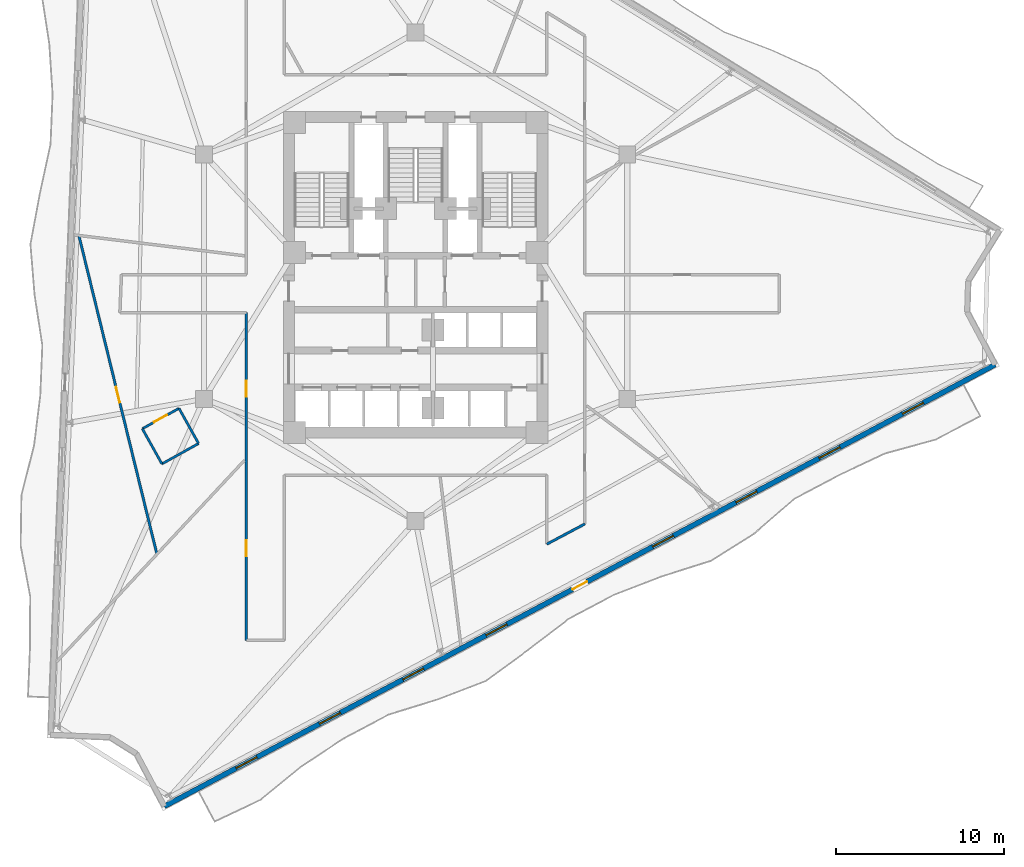
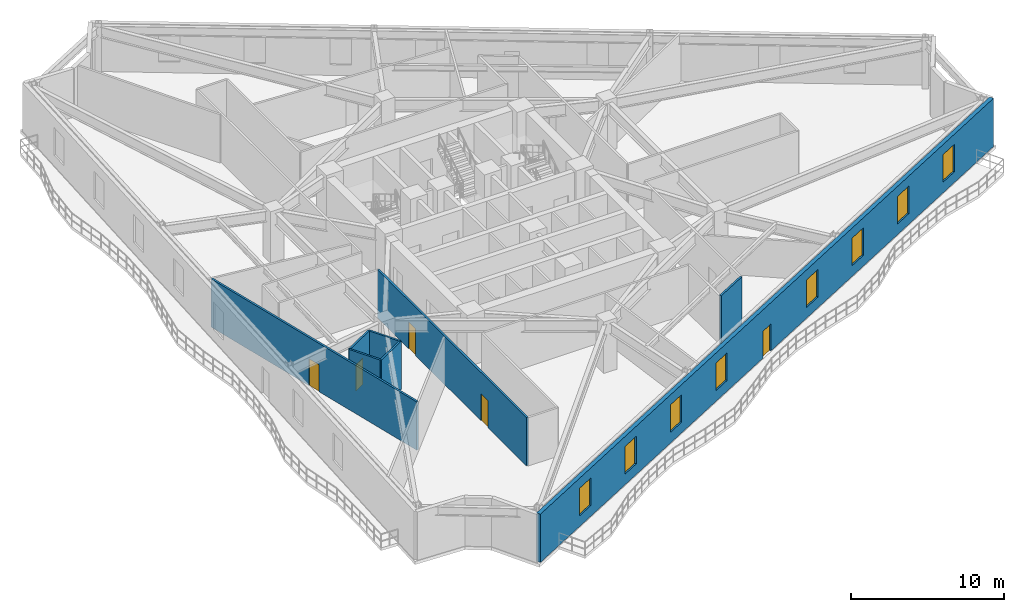
# One storey, part 5 of 12: 8 walls, 8 windows, 5 doors, 13 openings.
"""IFC4 building model written with IfcOpenShell, lengths in metres."""

import ifcopenshell
import ifcopenshell.guid

model = None  # the IFC model being written
_history = None  # IfcOwnerHistory: only IFC2X3 demands one
_inside = {}  # id of a spatial element -> (the spatial element, [elements in it])
_under = {}  # id of a project, library or spatial element -> (it, [spatial elements below it])
_declared = {}  # id of a project -> (the project, [libraries it declares])
_typed = {}  # id of a type object -> (the type object, [elements of that type])
_made_of = {}  # id of a material, layer set ... -> (it, [elements and type objects made of it])


def new_model(schema):
    """Start an empty IFC model of exactly this schema.

    Asked for "IFC4X3", IfcOpenShell would pick the latest addendum, in which some entities
    have other attributes; the version numbers below select the first issue.
    IFC2X3 requires an IfcOwnerHistory on every rooted entity: one is made here for all.
    """
    global model, _history
    if schema == "IFC4X3":
        model = ifcopenshell.file(schema_version=(4, 3, 0, 0))
    else:
        model = ifcopenshell.file(schema=schema)
    _inside.clear()
    _under.clear()
    _declared.clear()
    _typed.clear()
    _made_of.clear()
    _history = None
    if model.schema == "IFC2X3":
        org = make("IfcOrganization", Name="unknown")
        user = make(
            "IfcPersonAndOrganization",
            ThePerson=make("IfcPerson", FamilyName="unknown"),
            TheOrganization=org,
        )
        app = make(
            "IfcApplication",
            ApplicationDeveloper=org,
            Version="unknown",
            ApplicationFullName="unknown",
            ApplicationIdentifier="unknown",
        )
        _history = make(
            "IfcOwnerHistory",
            OwningUser=user,
            OwningApplication=app,
            ChangeAction="ADDED",
            CreationDate=0,
        )
    return model


def make(cls, **values):
    """One entity of the class cls with the attributes given. An attribute that is None is left unset."""
    return model.create_entity(
        cls, **{name: value for name, value in values.items() if value is not None}
    )


def rooted(cls, **values):
    """An entity with a GlobalId (a new one), such as an element, a storey or a relation."""
    return make(cls, GlobalId=ifcopenshell.guid.new(), OwnerHistory=_history, **values)


def si_unit(unit_type, name, prefix=None):
    """IfcSIUnit, for example si_unit("LENGTHUNIT", "METRE", prefix="MILLI")."""
    return make("IfcSIUnit", UnitType=unit_type, Prefix=prefix, Name=name)


def assignment(units):
    """IfcUnitAssignment: the units of a project."""
    return None if units is None else make("IfcUnitAssignment", Units=units)


def point(xyz):
    """IfcCartesianPoint."""
    return None if xyz is None else make("IfcCartesianPoint", Coordinates=xyz)


def direction(xyz):
    """IfcDirection."""
    return None if xyz is None else make("IfcDirection", DirectionRatios=xyz)


def frame(location, z_axis=None, x_axis=None):
    """IfcAxis2Placement3D, a coordinate frame: its origin and axes. An axis left out is left unset."""
    return make(
        "IfcAxis2Placement3D",
        Location=point(location),
        Axis=direction(z_axis),
        RefDirection=direction(x_axis),
    )


def frame_2d(location, x_axis=None):
    """IfcAxis2Placement2D, a coordinate frame in the plane: its origin and x axis."""
    return make(
        "IfcAxis2Placement2D", Location=point(location), RefDirection=direction(x_axis)
    )


def origin():
    """The frame at (0, 0, 0) with its axes left unset."""
    return frame((0.0, 0.0, 0.0))


def place(relative_to, where):
    """IfcLocalPlacement: puts the frame where relative to a parent placement (None: the world)."""
    return make(
        "IfcLocalPlacement", PlacementRelTo=relative_to, RelativePlacement=where
    )


def context(
    kind, dimensions, precision=None, world=None, true_north=None, identifier=None
):
    """IfcGeometricRepresentationContext, for example the 3D "Model" context."""
    return make(
        "IfcGeometricRepresentationContext",
        ContextIdentifier=identifier,
        ContextType=kind,
        CoordinateSpaceDimension=dimensions,
        Precision=precision,
        WorldCoordinateSystem=world,
        TrueNorth=true_north,
    )


def subcontext(parent, identifier, kind, view, scale=None):
    """IfcGeometricRepresentationSubContext, for example "Body" below "Model"."""
    return make(
        "IfcGeometricRepresentationSubContext",
        ContextIdentifier=identifier,
        ContextType=kind,
        ParentContext=parent,
        TargetScale=scale,
        TargetView=view,
    )


def project(units=None, contexts=None):
    """IfcProject with its units and contexts."""
    return rooted(
        "IfcProject",
        Name="project",
        RepresentationContexts=contexts,
        UnitsInContext=assignment(units),
    )


def spatial(cls, under=None, at=None, **own):
    """A site, building, storey or space (cls), placed at a placement, below another one or the project."""
    s = rooted(cls, ObjectPlacement=at, **own)
    if under is not None:
        _under.setdefault(under.id(), (under, []))[1].append(s)
    return s


def profile(cls, at=None, kind="AREA", **sizes):
    """A parametric profile (cls). Its sizes go by their IFC names, for example OverallWidth=200.0."""
    return make(cls, ProfileType=kind, Position=at, **sizes)


def rectangle(**sizes):
    """IfcRectangleProfileDef."""
    return profile("IfcRectangleProfileDef", **sizes)


def extrude(swept, where, along, depth):
    """IfcExtrudedAreaSolid: the profile swept, set in the frame where, extruded along a direction by depth."""
    return make(
        "IfcExtrudedAreaSolid",
        SweptArea=swept,
        Position=where,
        ExtrudedDirection=direction(along),
        Depth=depth,
    )


def shape(context_of_items, identifier, shape_type, items):
    """IfcShapeRepresentation: the items that make up one representation, for example the "Body"."""
    return make(
        "IfcShapeRepresentation",
        ContextOfItems=context_of_items,
        RepresentationIdentifier=identifier,
        RepresentationType=shape_type,
        Items=items,
    )


def material(Name=None, Category=None):
    """IfcMaterial."""
    return make("IfcMaterial", Name=Name, Category=Category)


def layer(
    of_material, thickness, ventilated=None, Name=None, Category=None, Priority=None
):
    """IfcMaterialLayer: one layer of a wall or slab, of a material (None: an air gap)."""
    return make(
        "IfcMaterialLayer",
        Material=of_material,
        LayerThickness=thickness,
        IsVentilated=ventilated,
        Name=Name,
        Category=Category,
        Priority=Priority,
    )


def layer_set(layers, Name=None):
    """IfcMaterialLayerSet."""
    return make("IfcMaterialLayerSet", MaterialLayers=layers, LayerSetName=Name)


def made_of(thing, what):
    """Note that an element or type object is made of a material, layer set ...; save() writes the relation."""
    if what is not None:
        _made_of.setdefault(what.id(), (what, []))[1].append(thing)
    return thing


def type_object(cls, material=None, **own):
    """A type object (cls), such as IfcWallType, which elements share."""
    return made_of(rooted(cls, **own), material)


def element(
    cls,
    number,
    at=None,
    inside=None,
    cuts=None,
    type_object=None,
    material=None,
    context=None,
    identifier="Body",
    shape_type=None,
    held_by="IfcProductDefinitionShape",
    body=None,
    shapes=None,
    **own,
):
    """One element of the class cls, such as IfcWall. Its Tag is "e" and its number.

    at: its placement. inside: the storey or other place that contains it. cuts: it is an
    opening in that element (IfcRelVoidsElement). A single representation is given by context,
    identifier, shape_type and body (its items); several are given by shapes. held_by: the class
    of the entity that holds the representations. save() writes the other relations.
    """
    e = rooted(cls, Tag="e%d" % number, ObjectPlacement=at, **own)
    if body is not None:
        shapes = [shape(context, identifier, shape_type, body)]
    if shapes is not None:
        e.Representation = make(held_by, Representations=shapes)
    if inside is not None:
        _inside.setdefault(inside.id(), (inside, []))[1].append(e)
    if cuts is not None:
        rooted(
            "IfcRelVoidsElement", RelatingBuildingElement=cuts, RelatedOpeningElement=e
        )
    if type_object is not None:
        _typed.setdefault(type_object.id(), (type_object, []))[1].append(e)
    return made_of(e, material)


def fill(opening, filler):
    """IfcRelFillsElement: the door or window that sits in an opening."""
    return rooted(
        "IfcRelFillsElement",
        RelatingOpeningElement=opening,
        RelatedBuildingElement=filler,
    )


def aggregate(whole, parts):
    """IfcRelAggregates: a whole, such as a stair, and the parts it consists of."""
    return rooted("IfcRelAggregates", RelatingObject=whole, RelatedObjects=parts)


def save(model, path):
    """Write the relations noted so far, then the file.

    IfcRelAggregates (storeys below a building ...), IfcRelContainedInSpatialStructure (elements
    in a storey), IfcRelDefinesByType, IfcRelAssociatesMaterial and IfcRelDeclares: one each for
    every whole, place, type object, material and project.
    """
    for whole, parts in _under.values():
        aggregate(whole, parts)
    for where, things in _inside.values():
        rooted(
            "IfcRelContainedInSpatialStructure",
            RelatedElements=things,
            RelatingStructure=where,
        )
    for kind, things in _typed.values():
        rooted("IfcRelDefinesByType", RelatedObjects=things, RelatingType=kind)
    for what, things in _made_of.values():
        rooted("IfcRelAssociatesMaterial", RelatedObjects=things, RelatingMaterial=what)
    for by, libraries in _declared.values():
        rooted("IfcRelDeclares", RelatingContext=by, RelatedDefinitions=libraries)
    model.write(path)


model = new_model("IFC4")

# Units and contexts
model_context = context("Model", 3, precision=1e-05, world=origin(), true_north=direction((0.0, 1.0)))
body_context = subcontext(model_context, "Body", "Model", "MODEL_VIEW")
ifc_project = project(units=[si_unit("LENGTHUNIT", "METRE"), si_unit("AREAUNIT", "SQUARE_METRE"), si_unit("VOLUMEUNIT", "CUBIC_METRE"), si_unit("PLANEANGLEUNIT", "RADIAN"), si_unit("MASSUNIT", "GRAM", prefix="KILO")], contexts=[model_context])

# Site, building, storey
site_placement = place(None, origin())
site = spatial("IfcSite", under=ifc_project, at=site_placement, CompositionType="ELEMENT")
building_placement = place(site_placement, origin())
building = spatial("IfcBuilding", under=site, at=building_placement, Name="Apsidion Concourse Tower", CompositionType="ELEMENT")
storey_placement = place(building_placement, frame((0.0, 0.0, 165.5)))
storey = spatial("IfcBuildingStorey", under=building, at=storey_placement, Name="L38", CompositionType="ELEMENT", Elevation=165.5)

# Wall, openings, door, windows
ifc_material_1 = material(Name="Precast concrete C40/50", Category="concrete")
ifc_layer_1 = layer(ifc_material_1, 0.300048828125)
ifc_layer_set_1 = layer_set([ifc_layer_1], Name="Precast concrete C40/50")
wall_type_1 = type_object("IfcWallType", Name="WL-EXT-300", PredefinedType="STANDARD", material=ifc_layer_set_1)
wall_1_placement = place(storey_placement, frame((34.398193359375, -5.216796875, 0.0), z_axis=(0.0, 0.0, 1.0), x_axis=(-0.88294811928, -0.469470572731, 0.0)))
wall_1 = element("IfcWall", 1, at=wall_1_placement, inside=storey, type_object=wall_type_1, Name="L38 Precast Stone Facade Wall 05", PredefinedType="STANDARD", context=body_context, shape_type="SweptSolid", body=[
    extrude(rectangle(XDim=55.845458984375, YDim=0.300048828125, at=frame_2d((27.9228515625, 0.0))), origin(), (0.0, 0.0, 1.0), 3.85009765625),
])
opening_1_placement = place(wall_1_placement, frame((27.422607421875, 0.0, 0.0)))
opening_1 = element("IfcOpeningElement", 2, at=opening_1_placement, cuts=wall_1, Name="Opening D-T1R", PredefinedType="OPENING", context=body_context, shape_type="SweptSolid", body=[
    extrude(rectangle(XDim=1.0, YDim=2.14990234375, at=frame_2d((0.5, 1.074951171875))), frame((0.0, 0.16015625, 0.0), z_axis=(0.0, -1.0, 0.0), x_axis=(1.0, 0.0, 0.0)), (0.0, 0.0, 1.0), 0.320068359375),
])
opening_2_placement = place(wall_1_placement, frame((4.82275390625, 0.0, 0.85009765625)))
opening_2 = element("IfcOpeningElement", 3, at=opening_2_placement, cuts=wall_1, Name="Opening WN-05", PredefinedType="OPENING", context=body_context, shape_type="SweptSolid", body=[
    extrude(rectangle(XDim=1.39990234375, YDim=2.199951171875, at=frame_2d((0.699951171875, 1.10009765625))), frame((0.0, 0.16015625, 0.0), z_axis=(0.0, -1.0, 0.0), x_axis=(1.0, 0.0, 0.0)), (0.0, 0.0, 1.0), 0.320068359375),
])
opening_3_placement = place(wall_1_placement, frame((10.422607421875, 0.0, 0.85009765625)))
opening_3 = element("IfcOpeningElement", 4, at=opening_3_placement, cuts=wall_1, Name="Opening WN-05", PredefinedType="OPENING", context=body_context, shape_type="SweptSolid", body=[
    extrude(rectangle(XDim=1.39990234375, YDim=2.199951171875, at=frame_2d((0.699951171875, 1.10009765625))), frame((0.0, 0.16015625, 0.0), z_axis=(0.0, -1.0, 0.0), x_axis=(1.0, 0.0, 0.0)), (0.0, 0.0, 1.0), 0.320068359375),
])
opening_4_placement = place(wall_1_placement, frame((16.022705078125, 0.0, 0.85009765625)))
opening_4 = element("IfcOpeningElement", 5, at=opening_4_placement, cuts=wall_1, Name="Opening WN-05", PredefinedType="OPENING", context=body_context, shape_type="SweptSolid", body=[
    extrude(rectangle(XDim=1.39990234375, YDim=2.199951171875, at=frame_2d((0.699951171875, 1.10009765625))), frame((0.0, 0.16015625, 0.0), z_axis=(0.0, -1.0, 0.0), x_axis=(1.0, 0.0, 0.0)), (0.0, 0.0, 1.0), 0.320068359375),
])
opening_5_placement = place(wall_1_placement, frame((21.622802734375, 0.0, 0.85009765625)))
opening_5 = element("IfcOpeningElement", 6, at=opening_5_placement, cuts=wall_1, Name="Opening WN-05", PredefinedType="OPENING", context=body_context, shape_type="SweptSolid", body=[
    extrude(rectangle(XDim=1.39990234375, YDim=2.199951171875, at=frame_2d((0.699951171875, 1.10009765625))), frame((0.0, 0.16015625, 0.0), z_axis=(0.0, -1.0, 0.0), x_axis=(1.0, 0.0, 0.0)), (0.0, 0.0, 1.0), 0.320068359375),
])
opening_6_placement = place(wall_1_placement, frame((32.82275390625, 0.0, 0.85009765625)))
opening_6 = element("IfcOpeningElement", 7, at=opening_6_placement, cuts=wall_1, Name="Opening WN-05", PredefinedType="OPENING", context=body_context, shape_type="SweptSolid", body=[
    extrude(rectangle(XDim=1.39990234375, YDim=2.199951171875, at=frame_2d((0.699951171875, 1.10009765625))), frame((0.0, 0.16015625, 0.0), z_axis=(0.0, -1.0, 0.0), x_axis=(1.0, 0.0, 0.0)), (0.0, 0.0, 1.0), 0.320068359375),
])
opening_7_placement = place(wall_1_placement, frame((38.422607421875, 0.0, 0.85009765625)))
opening_7 = element("IfcOpeningElement", 8, at=opening_7_placement, cuts=wall_1, Name="Opening WN-05", PredefinedType="OPENING", context=body_context, shape_type="SweptSolid", body=[
    extrude(rectangle(XDim=1.39990234375, YDim=2.199951171875, at=frame_2d((0.699951171875, 1.10009765625))), frame((0.0, 0.16015625, 0.0), z_axis=(0.0, -1.0, 0.0), x_axis=(1.0, 0.0, 0.0)), (0.0, 0.0, 1.0), 0.320068359375),
])
opening_8_placement = place(wall_1_placement, frame((44.022705078125, 0.0, 0.85009765625)))
opening_8 = element("IfcOpeningElement", 9, at=opening_8_placement, cuts=wall_1, Name="Opening WN-05", PredefinedType="OPENING", context=body_context, shape_type="SweptSolid", body=[
    extrude(rectangle(XDim=1.39990234375, YDim=2.199951171875, at=frame_2d((0.699951171875, 1.10009765625))), frame((0.0, 0.16015625, 0.0), z_axis=(0.0, -1.0, 0.0), x_axis=(1.0, 0.0, 0.0)), (0.0, 0.0, 1.0), 0.320068359375),
])
opening_9_placement = place(wall_1_placement, frame((49.622802734375, 0.0, 0.85009765625)))
opening_9 = element("IfcOpeningElement", 10, at=opening_9_placement, cuts=wall_1, Name="Opening WN-05", PredefinedType="OPENING", context=body_context, shape_type="SweptSolid", body=[
    extrude(rectangle(XDim=1.39990234375, YDim=2.199951171875, at=frame_2d((0.699951171875, 1.10009765625))), frame((0.0, 0.16015625, 0.0), z_axis=(0.0, -1.0, 0.0), x_axis=(1.0, 0.0, 0.0)), (0.0, 0.0, 1.0), 0.320068359375),
])
ifc_material_2 = material(Name="Anodised aluminium EN AW-6063 T6", Category="aluminium")
door_type_1 = type_object("IfcDoorType", Name="DR-TER-1022R", OperationType="SINGLE_SWING_RIGHT", PredefinedType="DOOR", material=ifc_material_2)
door_1_placement = place(opening_1_placement, origin())
door_1 = element("IfcDoor", 11, at=door_1_placement, inside=storey, type_object=door_type_1, Name="L38 Balcony Access Door 2", OperationType="SINGLE_SWING_RIGHT", OverallHeight=2.14990234375, OverallWidth=1.0, PredefinedType="DOOR", context=body_context, shape_type="SweptSolid", body=[
    extrude(rectangle(XDim=1.0, YDim=2.14990234375, at=frame_2d((0.5, 1.074951171875))), frame((0.0, 0.02490234375, 0.0), z_axis=(0.0, -1.0, 0.0), x_axis=(1.0, 0.0, 0.0)), (0.0, 0.0, 1.0), 0.050048828125),
])
fill(opening_1, door_1)
ifc_material_3 = material(Name="Insulated laminated low-E glass", Category="glass")
window_type = type_object("IfcWindowType", Name="WN-OFF-1424", PartitioningType="SINGLE_PANEL", PredefinedType="WINDOW", material=ifc_material_3)
window_1_placement = place(opening_2_placement, origin())
window_1 = element("IfcWindow", 12, at=window_1_placement, inside=storey, type_object=window_type, Name="L38 Punched Facade Window 5-01", OverallHeight=2.199951171875, OverallWidth=1.39990234375, PartitioningType="SINGLE_PANEL", PredefinedType="WINDOW", context=body_context, shape_type="SweptSolid", body=[
    extrude(rectangle(XDim=1.39990234375, YDim=2.199951171875, at=frame_2d((0.699951171875, 1.10009765625))), frame((0.0, 0.030029296875, 0.0), z_axis=(0.0, -1.0, 0.0), x_axis=(1.0, 0.0, 0.0)), (0.0, 0.0, 1.0), 0.06005859375),
])
fill(opening_2, window_1)
window_2_placement = place(opening_3_placement, origin())
window_2 = element("IfcWindow", 13, at=window_2_placement, inside=storey, type_object=window_type, Name="L38 Punched Facade Window 5-02", OverallHeight=2.199951171875, OverallWidth=1.39990234375, PartitioningType="SINGLE_PANEL", PredefinedType="WINDOW", context=body_context, shape_type="SweptSolid", body=[
    extrude(rectangle(XDim=1.39990234375, YDim=2.199951171875, at=frame_2d((0.699951171875, 1.10009765625))), frame((0.0, 0.030029296875, 0.0), z_axis=(0.0, -1.0, 0.0), x_axis=(1.0, 0.0, 0.0)), (0.0, 0.0, 1.0), 0.06005859375),
])
fill(opening_3, window_2)
window_3_placement = place(opening_4_placement, origin())
window_3 = element("IfcWindow", 14, at=window_3_placement, inside=storey, type_object=window_type, Name="L38 Punched Facade Window 5-03", OverallHeight=2.199951171875, OverallWidth=1.39990234375, PartitioningType="SINGLE_PANEL", PredefinedType="WINDOW", context=body_context, shape_type="SweptSolid", body=[
    extrude(rectangle(XDim=1.39990234375, YDim=2.199951171875, at=frame_2d((0.699951171875, 1.10009765625))), frame((0.0, 0.030029296875, 0.0), z_axis=(0.0, -1.0, 0.0), x_axis=(1.0, 0.0, 0.0)), (0.0, 0.0, 1.0), 0.06005859375),
])
fill(opening_4, window_3)
window_4_placement = place(opening_5_placement, origin())
window_4 = element("IfcWindow", 15, at=window_4_placement, inside=storey, type_object=window_type, Name="L38 Punched Facade Window 5-04", OverallHeight=2.199951171875, OverallWidth=1.39990234375, PartitioningType="SINGLE_PANEL", PredefinedType="WINDOW", context=body_context, shape_type="SweptSolid", body=[
    extrude(rectangle(XDim=1.39990234375, YDim=2.199951171875, at=frame_2d((0.699951171875, 1.10009765625))), frame((0.0, 0.030029296875, 0.0), z_axis=(0.0, -1.0, 0.0), x_axis=(1.0, 0.0, 0.0)), (0.0, 0.0, 1.0), 0.06005859375),
])
fill(opening_5, window_4)
window_5_placement = place(opening_6_placement, origin())
window_5 = element("IfcWindow", 16, at=window_5_placement, inside=storey, type_object=window_type, Name="L38 Punched Facade Window 5-06", OverallHeight=2.199951171875, OverallWidth=1.39990234375, PartitioningType="SINGLE_PANEL", PredefinedType="WINDOW", context=body_context, shape_type="SweptSolid", body=[
    extrude(rectangle(XDim=1.39990234375, YDim=2.199951171875, at=frame_2d((0.699951171875, 1.10009765625))), frame((0.0, 0.030029296875, 0.0), z_axis=(0.0, -1.0, 0.0), x_axis=(1.0, 0.0, 0.0)), (0.0, 0.0, 1.0), 0.06005859375),
])
fill(opening_6, window_5)
window_6_placement = place(opening_7_placement, origin())
window_6 = element("IfcWindow", 17, at=window_6_placement, inside=storey, type_object=window_type, Name="L38 Punched Facade Window 5-07", OverallHeight=2.199951171875, OverallWidth=1.39990234375, PartitioningType="SINGLE_PANEL", PredefinedType="WINDOW", context=body_context, shape_type="SweptSolid", body=[
    extrude(rectangle(XDim=1.39990234375, YDim=2.199951171875, at=frame_2d((0.699951171875, 1.10009765625))), frame((0.0, 0.030029296875, 0.0), z_axis=(0.0, -1.0, 0.0), x_axis=(1.0, 0.0, 0.0)), (0.0, 0.0, 1.0), 0.06005859375),
])
fill(opening_7, window_6)
window_7_placement = place(opening_8_placement, origin())
window_7 = element("IfcWindow", 18, at=window_7_placement, inside=storey, type_object=window_type, Name="L38 Punched Facade Window 5-08", OverallHeight=2.199951171875, OverallWidth=1.39990234375, PartitioningType="SINGLE_PANEL", PredefinedType="WINDOW", context=body_context, shape_type="SweptSolid", body=[
    extrude(rectangle(XDim=1.39990234375, YDim=2.199951171875, at=frame_2d((0.699951171875, 1.10009765625))), frame((0.0, 0.030029296875, 0.0), z_axis=(0.0, -1.0, 0.0), x_axis=(1.0, 0.0, 0.0)), (0.0, 0.0, 1.0), 0.06005859375),
])
fill(opening_8, window_7)
window_8_placement = place(opening_9_placement, origin())
window_8 = element("IfcWindow", 19, at=window_8_placement, inside=storey, type_object=window_type, Name="L38 Punched Facade Window 5-09", OverallHeight=2.199951171875, OverallWidth=1.39990234375, PartitioningType="SINGLE_PANEL", PredefinedType="WINDOW", context=body_context, shape_type="SweptSolid", body=[
    extrude(rectangle(XDim=1.39990234375, YDim=2.199951171875, at=frame_2d((0.699951171875, 1.10009765625))), frame((0.0, 0.030029296875, 0.0), z_axis=(0.0, -1.0, 0.0), x_axis=(1.0, 0.0, 0.0)), (0.0, 0.0, 1.0), 0.06005859375),
])
fill(opening_9, window_8)

# Wall, opening, door
ifc_material_4 = material(Name="Gypsum plasterboard partition")
ifc_layer_2 = layer(ifc_material_4, 0.139892578125)
ifc_layer_set_2 = layer_set([ifc_layer_2], Name="Gypsum plasterboard partition")
wall_type_2 = type_object("IfcWallType", Name="WL-INT-PAR-140", PredefinedType="PARTITIONING", material=ifc_layer_set_2)
wall_2_placement = place(storey_placement, frame((-14.046630859375, -7.80810546875, 0.0), z_axis=(0.0, 0.0, 1.0), x_axis=(-0.873763846555, -0.486350429684, 0.0)))
wall_2 = element("IfcWall", 20, at=wall_2_placement, inside=storey, type_object=wall_type_2, Name="L38 Interior Partition WL-L38-POD-OFAWC-S1", PredefinedType="PARTITIONING", context=body_context, shape_type="SweptSolid", body=[
    extrude(rectangle(XDim=2.48974609375, YDim=0.139892578125, at=frame_2d((1.244873046875, 0.0))), origin(), (0.0, 0.0, 1.0), 3.85009765625),
])
opening_10_placement = place(wall_2_placement, frame((0.804931640625, 0.0, 0.0)))
opening_10 = element("IfcOpeningElement", 21, at=opening_10_placement, cuts=wall_2, Name="Opening D-03R", PredefinedType="OPENING", context=body_context, shape_type="SweptSolid", body=[
    extrude(rectangle(XDim=0.8798828125, YDim=2.10009765625, at=frame_2d((0.43994140625, 1.050048828125))), frame((0.0, 0.080078125, 0.0), z_axis=(0.0, -1.0, 0.0), x_axis=(1.0, 0.0, 0.0)), (0.0, 0.0, 1.0), 0.159912109375),
])
door_type_2 = type_object("IfcDoorType", Name="DR-INT-D03R", OperationType="SINGLE_SWING_RIGHT", PredefinedType="DOOR", material=ifc_material_2)
door_2_placement = place(opening_10_placement, origin())
door_2 = element("IfcDoor", 22, at=door_2_placement, inside=storey, type_object=door_type_2, Name="L38 Office Accessible WC Door OFAWC", OperationType="SINGLE_SWING_RIGHT", OverallHeight=2.10009765625, OverallWidth=0.8798828125, PredefinedType="DOOR", context=body_context, shape_type="SweptSolid", body=[
    extrude(rectangle(XDim=0.8798828125, YDim=2.10009765625, at=frame_2d((0.43994140625, 1.050048828125))), frame((0.0, 0.02490234375, 0.0), z_axis=(0.0, -1.0, 0.0), x_axis=(1.0, 0.0, 0.0)), (0.0, 0.0, 1.0), 0.050048828125),
])
fill(opening_10, door_2)

# Walls
wall_3_placement = place(storey_placement, frame((-16.22216796875, -9.01904296875, 0.0), z_axis=(0.0, 0.0, 1.0), x_axis=(0.486327946389, -0.873776360725, 0.0)))
element("IfcWall", 23, at=wall_3_placement, inside=storey, type_object=wall_type_2, Name="L38 Interior Partition WL-L38-POD-OFAWC-S2", PredefinedType="PARTITIONING", context=body_context, shape_type="SweptSolid", body=[
    extrude(rectangle(XDim=2.39013671875, YDim=0.139892578125, at=frame_2d((1.195068359375, 0.0))), origin(), (0.0, 0.0, 1.0), 3.85009765625),
])
wall_4_placement = place(storey_placement, frame((-15.059814453125, -11.107421875, 0.0), z_axis=(0.0, 0.0, 1.0), x_axis=(0.873763846555, 0.486350429684, 0.0)))
element("IfcWall", 24, at=wall_4_placement, inside=storey, type_object=wall_type_2, Name="L38 Interior Partition WL-L38-POD-OFAWC-S3", PredefinedType="PARTITIONING", context=body_context, shape_type="SweptSolid", body=[
    extrude(rectangle(XDim=2.48974609375, YDim=0.139892578125, at=frame_2d((1.244873046875, 0.0))), origin(), (0.0, 0.0, 1.0), 3.85009765625),
])
wall_5_placement = place(storey_placement, frame((-12.88427734375, -9.896484375, 0.0), z_axis=(0.0, 0.0, 1.0), x_axis=(-0.486327946389, 0.873776360725, 0.0)))
element("IfcWall", 25, at=wall_5_placement, inside=storey, type_object=wall_type_2, Name="L38 Interior Partition WL-L38-POD-OFAWC-S4", PredefinedType="PARTITIONING", context=body_context, shape_type="SweptSolid", body=[
    extrude(rectangle(XDim=2.39013671875, YDim=0.139892578125, at=frame_2d((1.195068359375, 0.0))), origin(), (0.0, 0.0, 1.0), 3.85009765625),
])
ifc_layer_3 = layer(ifc_material_4, 0.14990234375)
ifc_layer_set_3 = layer_set([ifc_layer_3], Name="Gypsum plasterboard partition")
wall_type_3 = type_object("IfcWallType", Name="WL-INT-PAR-150", PredefinedType="PARTITIONING", material=ifc_layer_set_3)
wall_6_placement = place(storey_placement, frame((10.050048828125, -14.6689453125, 0.0), z_axis=(0.0, 0.0, 1.0), x_axis=(-0.88294894539, -0.469469019035, 0.0)))
element("IfcWall", 26, at=wall_6_placement, inside=storey, type_object=wall_type_3, Name="L38 Interior Partition WL-L38-CORR-01", PredefinedType="PARTITIONING", context=body_context, shape_type="SweptSolid", body=[
    extrude(rectangle(XDim=2.5595703125, YDim=0.14990234375, at=frame_2d((1.27978515625, 0.0))), origin(), (0.0, 0.0, 1.0), 3.85009765625),
])

# Wall, openings, doors
wall_7_placement = place(storey_placement, frame((-10.050048828125, -21.580078125, 0.0), z_axis=(0.0, 0.0, 1.0), x_axis=(0.0, 1.0, 0.0)))
wall_7 = element("IfcWall", 27, at=wall_7_placement, inside=storey, type_object=wall_type_3, Name="L38 Interior Partition WL-L38-CORR-06", PredefinedType="PARTITIONING", context=body_context, shape_type="SweptSolid", body=[
    extrude(rectangle(XDim=19.4501953125, YDim=0.14990234375, at=frame_2d((9.72509765625, 0.0))), origin(), (0.0, 0.0, 1.0), 3.85009765625),
])
opening_11_placement = place(wall_7_placement, frame((14.456787109375, 0.0, 0.0)))
opening_11 = element("IfcOpeningElement", 28, at=opening_11_placement, cuts=wall_7, Name="Opening D-01L", PredefinedType="OPENING", context=body_context, shape_type="SweptSolid", body=[
    extrude(rectangle(XDim=0.949951171875, YDim=2.14990234375, at=frame_2d((0.47509765625, 1.074951171875))), frame((0.0, 0.0849609375, 0.0), z_axis=(0.0, -1.0, 0.0), x_axis=(1.0, 0.0, 0.0)), (0.0, 0.0, 1.0), 0.169921875),
])
opening_12_placement = place(wall_7_placement, frame((4.990478515625, 0.0, 0.0)))
opening_12 = element("IfcOpeningElement", 29, at=opening_12_placement, cuts=wall_7, Name="Opening D-01R", PredefinedType="OPENING", context=body_context, shape_type="SweptSolid", body=[
    extrude(rectangle(XDim=0.949951171875, YDim=2.14990234375, at=frame_2d((0.47509765625, 1.074951171875))), frame((0.0, 0.0849609375, 0.0), z_axis=(0.0, -1.0, 0.0), x_axis=(1.0, 0.0, 0.0)), (0.0, 0.0, 1.0), 0.169921875),
])
ifc_material_5 = material(Name="Brushed stainless steel 316", Category="steel")
door_type_3 = type_object("IfcDoorType", Name="DR-INT-D01L", OperationType="SINGLE_SWING_LEFT", PredefinedType="DOOR", material=ifc_material_5)
door_3_placement = place(opening_11_placement, origin())
door_3 = element("IfcDoor", 30, at=door_3_placement, inside=storey, type_object=door_type_3, Name="L38 Corridor Entry Door 01", OperationType="SINGLE_SWING_LEFT", OverallHeight=2.14990234375, OverallWidth=0.949951171875, PredefinedType="DOOR", context=body_context, shape_type="SweptSolid", body=[
    extrude(rectangle(XDim=0.949951171875, YDim=2.14990234375, at=frame_2d((0.47509765625, 1.074951171875))), frame((0.0, 0.02490234375, 0.0), z_axis=(0.0, -1.0, 0.0), x_axis=(1.0, 0.0, 0.0)), (0.0, 0.0, 1.0), 0.050048828125),
])
fill(opening_11, door_3)
door_type_4 = type_object("IfcDoorType", Name="DR-INT-D01R", OperationType="SINGLE_SWING_RIGHT", PredefinedType="DOOR", material=ifc_material_5)
door_4_placement = place(opening_12_placement, origin())
door_4 = element("IfcDoor", 31, at=door_4_placement, inside=storey, type_object=door_type_4, Name="L38 Corridor Entry Door 02", OperationType="SINGLE_SWING_RIGHT", OverallHeight=2.14990234375, OverallWidth=0.949951171875, PredefinedType="DOOR", context=body_context, shape_type="SweptSolid", body=[
    extrude(rectangle(XDim=0.949951171875, YDim=2.14990234375, at=frame_2d((0.47509765625, 1.074951171875))), frame((0.0, 0.02490234375, 0.0), z_axis=(0.0, -1.0, 0.0), x_axis=(1.0, 0.0, 0.0)), (0.0, 0.0, 1.0), 0.050048828125),
])
fill(opening_12, door_4)

# Wall, opening, door
wall_8_placement = place(storey_placement, frame((-19.98486328125, 2.4287109375, 0.0), z_axis=(0.0, 0.0, 1.0), x_axis=(0.237845741831, -0.971302940947, 0.0)))
wall_8 = element("IfcWall", 32, at=wall_8_placement, inside=storey, type_object=wall_type_3, Name="L38 Interior Partition WL-L38-CHD-OFWC", PredefinedType="PARTITIONING", context=body_context, shape_type="SweptSolid", body=[
    extrude(rectangle(XDim=19.42578125, YDim=0.14990234375, at=frame_2d((9.712890625, 0.0))), origin(), (0.0, 0.0, 1.0), 3.85009765625),
])
opening_13_placement = place(wall_8_placement, frame((9.23779296875, 0.0, 0.0)))
opening_13 = element("IfcOpeningElement", 33, at=opening_13_placement, cuts=wall_8, Name="Opening D-04L", PredefinedType="OPENING", context=body_context, shape_type="SweptSolid", body=[
    extrude(rectangle(XDim=0.949951171875, YDim=2.14990234375, at=frame_2d((0.47509765625, 1.074951171875))), frame((0.0, 0.0849609375, 0.0), z_axis=(0.0, -1.0, 0.0), x_axis=(1.0, 0.0, 0.0)), (0.0, 0.0, 1.0), 0.169921875),
])
door_type_5 = type_object("IfcDoorType", Name="DR-INT-D04L", OperationType="SINGLE_SWING_LEFT", PredefinedType="DOOR", material=ifc_material_5)
door_5_placement = place(opening_13_placement, origin())
door_5 = element("IfcDoor", 34, at=door_5_placement, inside=storey, type_object=door_type_5, Name="L38 Suite Connecting Door OFWC", OperationType="SINGLE_SWING_LEFT", OverallHeight=2.14990234375, OverallWidth=0.949951171875, PredefinedType="DOOR", context=body_context, shape_type="SweptSolid", body=[
    extrude(rectangle(XDim=0.949951171875, YDim=2.14990234375, at=frame_2d((0.47509765625, 1.074951171875))), frame((0.0, 0.02490234375, 0.0), z_axis=(0.0, -1.0, 0.0), x_axis=(1.0, 0.0, 0.0)), (0.0, 0.0, 1.0), 0.050048828125),
])
fill(opening_13, door_5)

save(model, "model.ifc")
